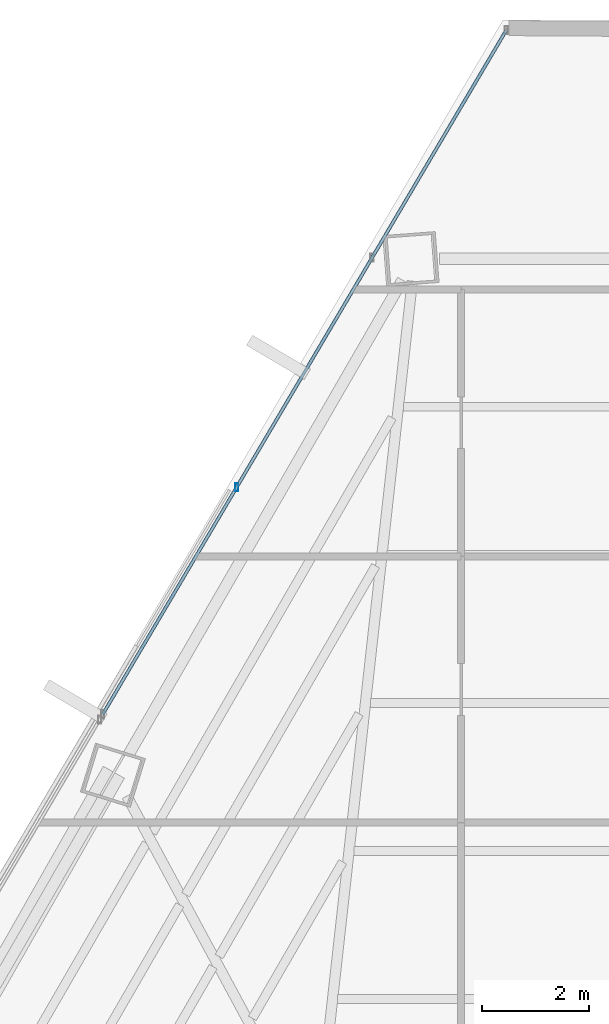
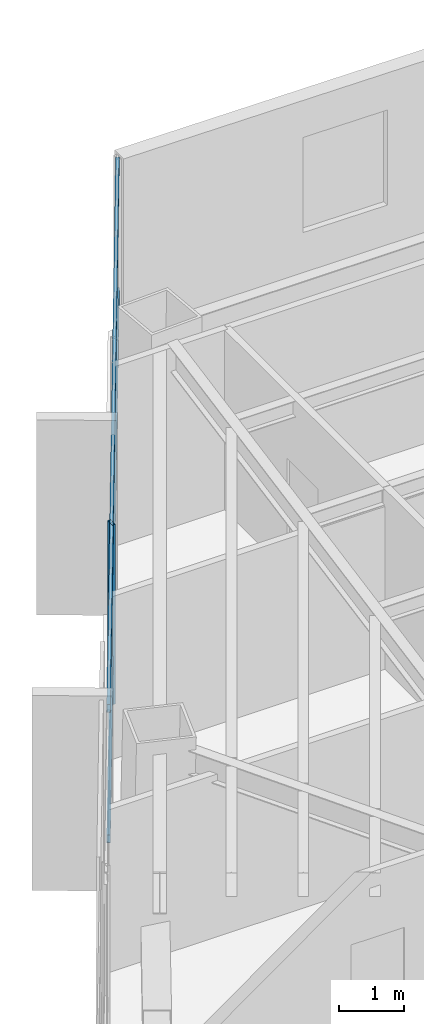
# One storey, part 27 of 40: 3 members, 1 element without a shape of its own.
"""IFC4 building model written with IfcOpenShell, lengths in metres."""

from ifc_helpers import new_model, si_unit, direction, frame, origin, origin_2d, place, context, subcontext, project, spatial, hollow_rectangle, extrude, source, transform, mapped, material, material_profile, profile_set, type_object, type_shapes, element, aggregate, save


model = new_model("IFC4")

# Units and contexts
model_context = context("Model", 3, precision=1e-05, world=origin(), true_north=direction((0.0, 1.0)))
body_context = subcontext(model_context, "Body", "Model", "MODEL_VIEW")
ifc_project = project(units=[si_unit("LENGTHUNIT", "METRE"), si_unit("AREAUNIT", "SQUARE_METRE"), si_unit("VOLUMEUNIT", "CUBIC_METRE"), si_unit("PLANEANGLEUNIT", "RADIAN"), si_unit("MASSUNIT", "GRAM", prefix="KILO")], contexts=[model_context])

# Site, building, storey
site_placement = place(None, origin())
site = spatial("IfcSite", under=ifc_project, at=site_placement, CompositionType="ELEMENT")
building_placement = place(site_placement, origin())
building = spatial("IfcBuilding", under=site, at=building_placement, Name="Caelisora Broadcast Tower", CompositionType="ELEMENT")
storey_placement = place(building_placement, frame((0.0, 0.0, 176.75)))
storey = spatial("IfcBuildingStorey", under=building, at=storey_placement, Name="L46", CompositionType="ELEMENT", Elevation=176.75)

# Curtain wall, members
ifc_material_1 = material(Name="Unitised Aluminium and Low-E Glass Curtain Wall", Category="glass")
curtain_wall_type = type_object("IfcCurtainWallType", Name="CW-Z3", PredefinedType="NOTDEFINED", material=ifc_material_1)
curtain_wall_placement = place(storey_placement, origin())
curtain_wall = element("IfcCurtainWall", 1, at=curtain_wall_placement, inside=storey, type_object=curtain_wall_type, Name="L46 curtain wall CW-Z3", PredefinedType="NOTDEFINED")
ifc_material_2 = material(Name="Aluminium 6063-T6 Anodised Terracotta Bronze", Category="aluminium")
ifc_material_profile_1 = material_profile(ifc_material_2, hollow_rectangle(XDim=0.06005859375, YDim=0.14990234375, WallThickness=0.00341796875, at=origin_2d()), Name="Aluminium 6063-T6 Anodised Terracotta Bronze")
ifc_profile_set_1 = profile_set([ifc_material_profile_1], Name="Aluminium 6063-T6 Anodised Terracotta Bronze")
member_type_1 = type_object("IfcMemberType", Name="CWM-03", PredefinedType="MULLION", material=ifc_profile_set_1)
shared_shape_1 = source(origin(), body_context, "Body", "SweptSolid", [
    extrude(hollow_rectangle(XDim=0.06005859375, YDim=0.14990234375, WallThickness=0.00341796875, at=origin_2d()), origin(), (0.0, 0.0, 1.0), 3.39990234375),
])
type_shapes(member_type_1, [shared_shape_1])
member_1_placement = place(storey_placement, frame((29.02099609375, 42.285888671875, 0.0), z_axis=(0.0, 0.0, 1.0), x_axis=(1.0, 0.0, 0.0)))
member_1 = element("IfcMember", 2, at=member_1_placement, type_object=member_type_1, Name="L46-CW-B11 mullion #1", PredefinedType="MULLION", context=body_context, shape_type="MappedRepresentation", body=[
    mapped(shared_shape_1, transform((0.0, 0.0, 0.0), scale=1.0)),
])
ifc_material_profile_2 = material_profile(ifc_material_2, hollow_rectangle(XDim=0.06005859375, YDim=0.14990234375, WallThickness=0.00341796875, at=origin_2d()), Name="Aluminium 6063-T6 Anodised Terracotta Bronze")
ifc_profile_set_2 = profile_set([ifc_material_profile_2], Name="Aluminium 6063-T6 Anodised Terracotta Bronze")
member_type_2 = type_object("IfcMemberType", Name="CWT-02", PredefinedType="USERDEFINED", material=ifc_profile_set_2)
shared_shape_2 = source(origin(), body_context, "Body", "SweptSolid", [
    extrude(hollow_rectangle(XDim=0.06005859375, YDim=0.14990234375, WallThickness=0.00341796875, at=origin_2d()), origin(), (0.0, 0.0, 1.0), 14.788818359375),
])
type_shapes(member_type_2, [shared_shape_2])
member_2_placement = place(storey_placement, frame((26.52490234375, 38.05419921875, 0.85009765625), z_axis=(0.508067302709, 0.861317372353, 0.0), x_axis=(-0.861317372353, 0.508067302709, 0.0)))
member_2 = element("IfcMember", 3, at=member_2_placement, type_object=member_type_2, Name="L46-CW-B11 transom #1", ObjectType="TRANSOM", PredefinedType="USERDEFINED", context=body_context, shape_type="MappedRepresentation", body=[
    mapped(shared_shape_2, transform((0.0, 0.0, 0.0), scale=1.0)),
])
member_3_placement = place(storey_placement, frame((26.52490234375, 38.05419921875, 3.320068359375), z_axis=(0.508067302709, 0.861317372353, 0.0), x_axis=(-0.861317372353, 0.508067302709, 0.0)))
member_3 = element("IfcMember", 4, at=member_3_placement, type_object=member_type_2, Name="L46-CW-B11 transom #2", ObjectType="TRANSOM", PredefinedType="USERDEFINED", context=body_context, shape_type="MappedRepresentation", body=[
    mapped(shared_shape_2, transform((0.0, 0.0, 0.0), scale=1.0)),
])
aggregate(curtain_wall, [member_1, member_2, member_3])

save(model, "model.ifc")
